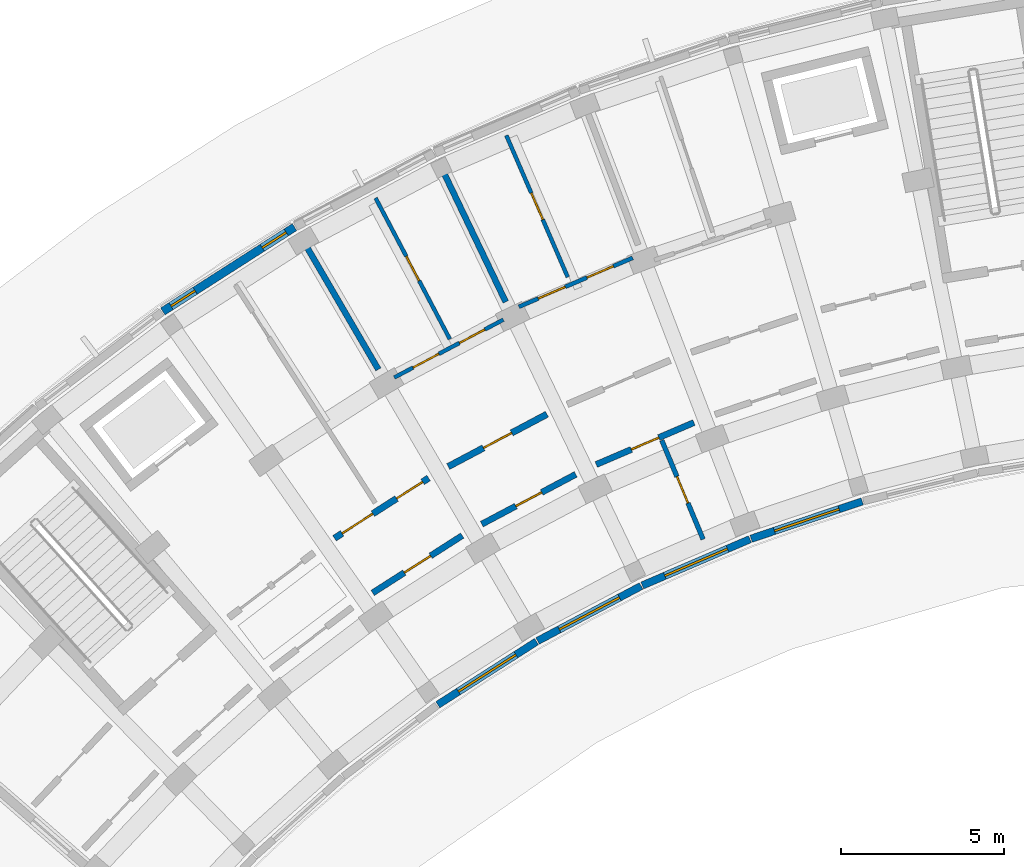
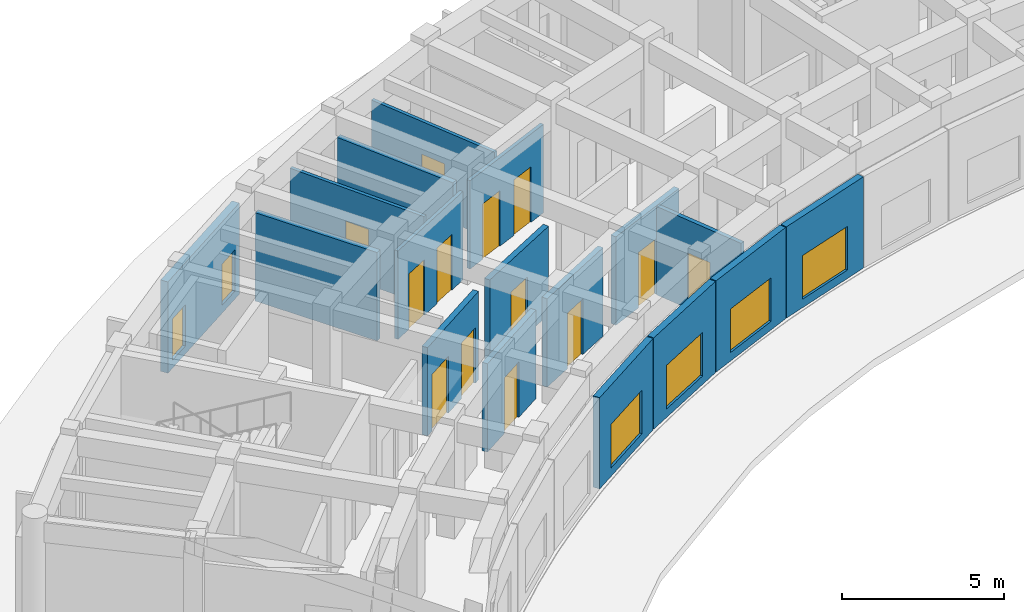
# One storey, part 32 of 61: 17 walls, 13 doors, 6 windows, 19 openings.
"""IFC4 building model written with IfcOpenShell, lengths in metres."""

import ifcopenshell
import ifcopenshell.guid

model = None  # the IFC model being written
_history = None  # IfcOwnerHistory: only IFC2X3 demands one
_inside = {}  # id of a spatial element -> (the spatial element, [elements in it])
_under = {}  # id of a project, library or spatial element -> (it, [spatial elements below it])
_declared = {}  # id of a project -> (the project, [libraries it declares])
_typed = {}  # id of a type object -> (the type object, [elements of that type])
_made_of = {}  # id of a material, layer set ... -> (it, [elements and type objects made of it])


def new_model(schema):
    """Start an empty IFC model of exactly this schema.

    Asked for "IFC4X3", IfcOpenShell would pick the latest addendum, in which some entities
    have other attributes; the version numbers below select the first issue.
    IFC2X3 requires an IfcOwnerHistory on every rooted entity: one is made here for all.
    """
    global model, _history
    if schema == "IFC4X3":
        model = ifcopenshell.file(schema_version=(4, 3, 0, 0))
    else:
        model = ifcopenshell.file(schema=schema)
    _inside.clear()
    _under.clear()
    _declared.clear()
    _typed.clear()
    _made_of.clear()
    _history = None
    if model.schema == "IFC2X3":
        org = make("IfcOrganization", Name="unknown")
        user = make(
            "IfcPersonAndOrganization",
            ThePerson=make("IfcPerson", FamilyName="unknown"),
            TheOrganization=org,
        )
        app = make(
            "IfcApplication",
            ApplicationDeveloper=org,
            Version="unknown",
            ApplicationFullName="unknown",
            ApplicationIdentifier="unknown",
        )
        _history = make(
            "IfcOwnerHistory",
            OwningUser=user,
            OwningApplication=app,
            ChangeAction="ADDED",
            CreationDate=0,
        )
    return model


def make(cls, **values):
    """One entity of the class cls with the attributes given. An attribute that is None is left unset."""
    return model.create_entity(
        cls, **{name: value for name, value in values.items() if value is not None}
    )


def rooted(cls, **values):
    """An entity with a GlobalId (a new one), such as an element, a storey or a relation."""
    return make(cls, GlobalId=ifcopenshell.guid.new(), OwnerHistory=_history, **values)


def si_unit(unit_type, name, prefix=None):
    """IfcSIUnit, for example si_unit("LENGTHUNIT", "METRE", prefix="MILLI")."""
    return make("IfcSIUnit", UnitType=unit_type, Prefix=prefix, Name=name)


def assignment(units):
    """IfcUnitAssignment: the units of a project."""
    return None if units is None else make("IfcUnitAssignment", Units=units)


def point(xyz):
    """IfcCartesianPoint."""
    return None if xyz is None else make("IfcCartesianPoint", Coordinates=xyz)


def direction(xyz):
    """IfcDirection."""
    return None if xyz is None else make("IfcDirection", DirectionRatios=xyz)


def frame(location, z_axis=None, x_axis=None):
    """IfcAxis2Placement3D, a coordinate frame: its origin and axes. An axis left out is left unset."""
    return make(
        "IfcAxis2Placement3D",
        Location=point(location),
        Axis=direction(z_axis),
        RefDirection=direction(x_axis),
    )


def frame_2d(location, x_axis=None):
    """IfcAxis2Placement2D, a coordinate frame in the plane: its origin and x axis."""
    return make(
        "IfcAxis2Placement2D", Location=point(location), RefDirection=direction(x_axis)
    )


def origin():
    """The frame at (0, 0, 0) with its axes left unset."""
    return frame((0.0, 0.0, 0.0))


def place(relative_to, where):
    """IfcLocalPlacement: puts the frame where relative to a parent placement (None: the world)."""
    return make(
        "IfcLocalPlacement", PlacementRelTo=relative_to, RelativePlacement=where
    )


def context(
    kind, dimensions, precision=None, world=None, true_north=None, identifier=None
):
    """IfcGeometricRepresentationContext, for example the 3D "Model" context."""
    return make(
        "IfcGeometricRepresentationContext",
        ContextIdentifier=identifier,
        ContextType=kind,
        CoordinateSpaceDimension=dimensions,
        Precision=precision,
        WorldCoordinateSystem=world,
        TrueNorth=true_north,
    )


def subcontext(parent, identifier, kind, view, scale=None):
    """IfcGeometricRepresentationSubContext, for example "Body" below "Model"."""
    return make(
        "IfcGeometricRepresentationSubContext",
        ContextIdentifier=identifier,
        ContextType=kind,
        ParentContext=parent,
        TargetScale=scale,
        TargetView=view,
    )


def project(units=None, contexts=None):
    """IfcProject with its units and contexts."""
    return rooted(
        "IfcProject",
        Name="project",
        RepresentationContexts=contexts,
        UnitsInContext=assignment(units),
    )


def spatial(cls, under=None, at=None, **own):
    """A site, building, storey or space (cls), placed at a placement, below another one or the project."""
    s = rooted(cls, ObjectPlacement=at, **own)
    if under is not None:
        _under.setdefault(under.id(), (under, []))[1].append(s)
    return s


def profile(cls, at=None, kind="AREA", **sizes):
    """A parametric profile (cls). Its sizes go by their IFC names, for example OverallWidth=200.0."""
    return make(cls, ProfileType=kind, Position=at, **sizes)


def rectangle(**sizes):
    """IfcRectangleProfileDef."""
    return profile("IfcRectangleProfileDef", **sizes)


def extrude(swept, where, along, depth):
    """IfcExtrudedAreaSolid: the profile swept, set in the frame where, extruded along a direction by depth."""
    return make(
        "IfcExtrudedAreaSolid",
        SweptArea=swept,
        Position=where,
        ExtrudedDirection=direction(along),
        Depth=depth,
    )


def shape(context_of_items, identifier, shape_type, items):
    """IfcShapeRepresentation: the items that make up one representation, for example the "Body"."""
    return make(
        "IfcShapeRepresentation",
        ContextOfItems=context_of_items,
        RepresentationIdentifier=identifier,
        RepresentationType=shape_type,
        Items=items,
    )


def material(Name=None, Category=None):
    """IfcMaterial."""
    return make("IfcMaterial", Name=Name, Category=Category)


def layer(
    of_material, thickness, ventilated=None, Name=None, Category=None, Priority=None
):
    """IfcMaterialLayer: one layer of a wall or slab, of a material (None: an air gap)."""
    return make(
        "IfcMaterialLayer",
        Material=of_material,
        LayerThickness=thickness,
        IsVentilated=ventilated,
        Name=Name,
        Category=Category,
        Priority=Priority,
    )


def layer_set(layers, Name=None):
    """IfcMaterialLayerSet."""
    return make("IfcMaterialLayerSet", MaterialLayers=layers, LayerSetName=Name)


def made_of(thing, what):
    """Note that an element or type object is made of a material, layer set ...; save() writes the relation."""
    if what is not None:
        _made_of.setdefault(what.id(), (what, []))[1].append(thing)
    return thing


def type_object(cls, material=None, **own):
    """A type object (cls), such as IfcWallType, which elements share."""
    return made_of(rooted(cls, **own), material)


def element(
    cls,
    number,
    at=None,
    inside=None,
    cuts=None,
    type_object=None,
    material=None,
    context=None,
    identifier="Body",
    shape_type=None,
    held_by="IfcProductDefinitionShape",
    body=None,
    shapes=None,
    **own,
):
    """One element of the class cls, such as IfcWall. Its Tag is "e" and its number.

    at: its placement. inside: the storey or other place that contains it. cuts: it is an
    opening in that element (IfcRelVoidsElement). A single representation is given by context,
    identifier, shape_type and body (its items); several are given by shapes. held_by: the class
    of the entity that holds the representations. save() writes the other relations.
    """
    e = rooted(cls, Tag="e%d" % number, ObjectPlacement=at, **own)
    if body is not None:
        shapes = [shape(context, identifier, shape_type, body)]
    if shapes is not None:
        e.Representation = make(held_by, Representations=shapes)
    if inside is not None:
        _inside.setdefault(inside.id(), (inside, []))[1].append(e)
    if cuts is not None:
        rooted(
            "IfcRelVoidsElement", RelatingBuildingElement=cuts, RelatedOpeningElement=e
        )
    if type_object is not None:
        _typed.setdefault(type_object.id(), (type_object, []))[1].append(e)
    return made_of(e, material)


def fill(opening, filler):
    """IfcRelFillsElement: the door or window that sits in an opening."""
    return rooted(
        "IfcRelFillsElement",
        RelatingOpeningElement=opening,
        RelatedBuildingElement=filler,
    )


def aggregate(whole, parts):
    """IfcRelAggregates: a whole, such as a stair, and the parts it consists of."""
    return rooted("IfcRelAggregates", RelatingObject=whole, RelatedObjects=parts)


def save(model, path):
    """Write the relations noted so far, then the file.

    IfcRelAggregates (storeys below a building ...), IfcRelContainedInSpatialStructure (elements
    in a storey), IfcRelDefinesByType, IfcRelAssociatesMaterial and IfcRelDeclares: one each for
    every whole, place, type object, material and project.
    """
    for whole, parts in _under.values():
        aggregate(whole, parts)
    for where, things in _inside.values():
        rooted(
            "IfcRelContainedInSpatialStructure",
            RelatedElements=things,
            RelatingStructure=where,
        )
    for kind, things in _typed.values():
        rooted("IfcRelDefinesByType", RelatedObjects=things, RelatingType=kind)
    for what, things in _made_of.values():
        rooted("IfcRelAssociatesMaterial", RelatedObjects=things, RelatingMaterial=what)
    for by, libraries in _declared.values():
        rooted("IfcRelDeclares", RelatingContext=by, RelatedDefinitions=libraries)
    model.write(path)


model = new_model("IFC4")

# Units and contexts
model_context = context("Model", 3, precision=1e-05, world=origin(), true_north=direction((0.0, 1.0)))
body_context = subcontext(model_context, "Body", "Model", "MODEL_VIEW")
ifc_project = project(units=[si_unit("LENGTHUNIT", "METRE"), si_unit("AREAUNIT", "SQUARE_METRE"), si_unit("VOLUMEUNIT", "CUBIC_METRE"), si_unit("PLANEANGLEUNIT", "RADIAN"), si_unit("MASSUNIT", "GRAM", prefix="KILO")], contexts=[model_context])

# Site, building, storey
site_placement = place(None, origin())
site = spatial("IfcSite", under=ifc_project, at=site_placement, CompositionType="ELEMENT")
building_placement = place(site_placement, origin())
building = spatial("IfcBuilding", under=site, at=building_placement, Name="Zimvara Arc Housing Community", CompositionType="ELEMENT")
storey_placement = place(building_placement, origin())
storey = spatial("IfcBuildingStorey", under=building, at=storey_placement, Name="L00", CompositionType="ELEMENT", Elevation=0.0)

# Wall, opening, window
ifc_material_1 = material(Name="Board-Marked Fair-Faced Concrete C35/45", Category="concrete")
ifc_layer_1 = layer(ifc_material_1, 0.22998046875)
ifc_layer_set_1 = layer_set([ifc_layer_1], Name="Board-Marked Fair-Faced Concrete C35/45")
wall_type_1 = type_object("IfcWallType", Name="EWL-CONC-230", PredefinedType="SOLIDWALL", material=ifc_layer_set_1)
wall_1_placement = place(storey_placement, frame((19.449462890625, 81.0791015625, 0.0), z_axis=(0.0, 0.0, 1.0), x_axis=(0.84225540507, 0.539078688718, 0.0)))
wall_1 = element("IfcWall", 1, at=wall_1_placement, inside=storey, type_object=wall_type_1, Name="ewall:blkA:L00:in:b3", PredefinedType="SOLIDWALL", context=body_context, shape_type="SweptSolid", body=[
    extrude(rectangle(XDim=3.603515625, YDim=0.22998046875, at=frame_2d((1.8017578125, 0.0))), origin(), (0.0, 0.0, 1.0), 3.449951171875),
])
opening_1_placement = place(wall_1_placement, frame((0.751708984375, 0.0, 0.320068359375)))
opening_1 = element("IfcOpeningElement", 2, at=opening_1_placement, cuts=wall_1, Name="Opening W09", PredefinedType="OPENING", context=body_context, shape_type="SweptSolid", body=[
    extrude(rectangle(XDim=2.10009765625, YDim=1.64990234375, at=frame_2d((1.050048828125, 0.824951171875))), frame((0.0, 0.125, 0.0), z_axis=(0.0, -1.0, 0.0), x_axis=(1.0, 0.0, 0.0)), (0.0, 0.0, 1.0), 0.25),
])
ifc_material_2 = material(Name="Solar Control Low-E Double Glazing", Category="glass")
window_type_1 = type_object("IfcWindowType", Name="WIN-RES-2100x1650", PartitioningType="TRIPLE_PANEL_VERTICAL", PredefinedType="WINDOW", material=ifc_material_2)
window_1_placement = place(opening_1_placement, origin())
window_1 = element("IfcWindow", 3, at=window_1_placement, inside=storey, type_object=window_type_1, Name="win:blkA:L00:in:b3", OverallHeight=1.64990234375, OverallWidth=2.10009765625, PartitioningType="TRIPLE_PANEL_VERTICAL", PredefinedType="WINDOW", context=body_context, shape_type="SweptSolid", body=[
    extrude(rectangle(XDim=2.10009765625, YDim=1.64990234375, at=frame_2d((1.050048828125, 0.824951171875))), frame((0.0, 0.030029296875, 0.0), z_axis=(0.0, -1.0, 0.0), x_axis=(1.0, 0.0, 0.0)), (0.0, 0.0, 1.0), 0.06005859375),
])
fill(opening_1, window_1)

wall_2_placement = place(storey_placement, frame((22.51904296875, 83.0419921875, 0.0), z_axis=(0.0, 0.0, 1.0), x_axis=(0.883438308286, 0.468547495407, 0.0)))
wall_2 = element("IfcWall", 4, at=wall_2_placement, inside=storey, type_object=wall_type_1, Name="ewall:blkA:L00:in:b4", PredefinedType="SOLIDWALL", context=body_context, shape_type="SweptSolid", body=[
    extrude(rectangle(XDim=3.603759765625, YDim=0.22998046875, at=frame_2d((1.8017578125, 0.0))), origin(), (0.0, 0.0, 1.0), 3.449951171875),
])
opening_2_placement = place(wall_2_placement, frame((0.751708984375, 0.0, 0.320068359375)))
opening_2 = element("IfcOpeningElement", 5, at=opening_2_placement, cuts=wall_2, Name="Opening W09", PredefinedType="OPENING", context=body_context, shape_type="SweptSolid", body=[
    extrude(rectangle(XDim=2.10009765625, YDim=1.64990234375, at=frame_2d((1.050048828125, 0.824951171875))), frame((0.0, 0.125, 0.0), z_axis=(0.0, -1.0, 0.0), x_axis=(1.0, 0.0, 0.0)), (0.0, 0.0, 1.0), 0.25),
])
window_2_placement = place(opening_2_placement, origin())
window_2 = element("IfcWindow", 6, at=window_2_placement, inside=storey, type_object=window_type_1, Name="win:blkA:L00:in:b4", OverallHeight=1.64990234375, OverallWidth=2.10009765625, PartitioningType="TRIPLE_PANEL_VERTICAL", PredefinedType="WINDOW", context=body_context, shape_type="SweptSolid", body=[
    extrude(rectangle(XDim=2.10009765625, YDim=1.64990234375, at=frame_2d((1.050048828125, 0.824951171875))), frame((0.0, 0.030029296875, 0.0), z_axis=(0.0, -1.0, 0.0), x_axis=(1.0, 0.0, 0.0)), (0.0, 0.0, 1.0), 0.06005859375),
])
fill(opening_2, window_2)

wall_3_placement = place(storey_placement, frame((25.73876953125, 84.74755859375, 0.0), z_axis=(0.0, 0.0, 1.0), x_axis=(0.918713438577, 0.394924825477, 0.0)))
wall_3 = element("IfcWall", 7, at=wall_3_placement, inside=storey, type_object=wall_type_1, Name="ewall:blkA:L00:in:b5", PredefinedType="SOLIDWALL", context=body_context, shape_type="SweptSolid", body=[
    extrude(rectangle(XDim=3.603515625, YDim=0.22998046875, at=frame_2d((1.8017578125, 0.0))), origin(), (0.0, 0.0, 1.0), 3.449951171875),
])
opening_3_placement = place(wall_3_placement, frame((0.751708984375, 0.0, 0.320068359375)))
opening_3 = element("IfcOpeningElement", 8, at=opening_3_placement, cuts=wall_3, Name="Opening W09", PredefinedType="OPENING", context=body_context, shape_type="SweptSolid", body=[
    extrude(rectangle(XDim=2.10009765625, YDim=1.64990234375, at=frame_2d((1.050048828125, 0.824951171875))), frame((0.0, 0.125, 0.0), z_axis=(0.0, -1.0, 0.0), x_axis=(1.0, 0.0, 0.0)), (0.0, 0.0, 1.0), 0.25),
])
window_3_placement = place(opening_3_placement, origin())
window_3 = element("IfcWindow", 9, at=window_3_placement, inside=storey, type_object=window_type_1, Name="win:blkA:L00:in:b5", OverallHeight=1.64990234375, OverallWidth=2.10009765625, PartitioningType="TRIPLE_PANEL_VERTICAL", PredefinedType="WINDOW", context=body_context, shape_type="SweptSolid", body=[
    extrude(rectangle(XDim=2.10009765625, YDim=1.64990234375, at=frame_2d((1.050048828125, 0.824951171875))), frame((0.0, 0.030029296875, 0.0), z_axis=(0.0, -1.0, 0.0), x_axis=(1.0, 0.0, 0.0)), (0.0, 0.0, 1.0), 0.06005859375),
])
fill(opening_3, window_3)

wall_4_placement = place(storey_placement, frame((29.086669921875, 86.18505859375, 0.0), z_axis=(0.0, 0.0, 1.0), x_axis=(0.947880824442, 0.318625081649, 0.0)))
wall_4 = element("IfcWall", 10, at=wall_4_placement, inside=storey, type_object=wall_type_1, Name="ewall:blkA:L00:in:b6", PredefinedType="SOLIDWALL", context=body_context, shape_type="SweptSolid", body=[
    extrude(rectangle(XDim=3.603515625, YDim=0.22998046875, at=frame_2d((1.8017578125, 0.0))), origin(), (0.0, 0.0, 1.0), 3.449951171875),
])
opening_4_placement = place(wall_4_placement, frame((0.751708984375, 0.0, 0.320068359375)))
opening_4 = element("IfcOpeningElement", 11, at=opening_4_placement, cuts=wall_4, Name="Opening W09", PredefinedType="OPENING", context=body_context, shape_type="SweptSolid", body=[
    extrude(rectangle(XDim=2.10009765625, YDim=1.64990234375, at=frame_2d((1.050048828125, 0.824951171875))), frame((0.0, 0.125, 0.0), z_axis=(0.0, -1.0, 0.0), x_axis=(1.0, 0.0, 0.0)), (0.0, 0.0, 1.0), 0.25),
])
window_4_placement = place(opening_4_placement, origin())
window_4 = element("IfcWindow", 12, at=window_4_placement, inside=storey, type_object=window_type_1, Name="win:blkA:L00:in:b6", OverallHeight=1.64990234375, OverallWidth=2.10009765625, PartitioningType="TRIPLE_PANEL_VERTICAL", PredefinedType="WINDOW", context=body_context, shape_type="SweptSolid", body=[
    extrude(rectangle(XDim=2.10009765625, YDim=1.64990234375, at=frame_2d((1.050048828125, 0.824951171875))), frame((0.0, 0.030029296875, 0.0), z_axis=(0.0, -1.0, 0.0), x_axis=(1.0, 0.0, 0.0)), (0.0, 0.0, 1.0), 0.06005859375),
])
fill(opening_4, window_4)

# Wall, openings, windows
ifc_material_3 = material(Name="Board-Marked Fair-Faced Concrete C35/45", Category="concrete")
ifc_layer_2 = layer(ifc_material_3, 0.2548828125)
ifc_layer_set_2 = layer_set([ifc_layer_2], Name="Board-Marked Fair-Faced Concrete C35/45")
wall_type_2 = type_object("IfcWallType", Name="EWL-CONC-255", PredefinedType="SOLIDWALL", material=ifc_layer_set_2)
wall_5_placement = place(storey_placement, frame((10.991943359375, 93.17578125, 0.0), z_axis=(0.0, 0.0, 1.0), x_axis=(0.84226218024, 0.539068103061, 0.0)))
wall_5 = element("IfcWall", 13, at=wall_5_placement, inside=storey, type_object=wall_type_2, Name="ewall:blkA:L00:out:b3", PredefinedType="SOLIDWALL", context=body_context, shape_type="SweptSolid", body=[
    extrude(rectangle(XDim=4.808837890625, YDim=0.2548828125, at=frame_2d((2.404296875, 0.0))), origin(), (0.0, 0.0, 1.0), 3.449951171875),
])
opening_5_placement = place(wall_5_placement, frame((0.300048828125, 0.0, 0.300048828125)))
opening_5 = element("IfcOpeningElement", 14, at=opening_5_placement, cuts=wall_5, Name="Opening W24", PredefinedType="OPENING", context=body_context, shape_type="SweptSolid", body=[
    extrude(rectangle(XDim=0.8798828125, YDim=1.56005859375, at=frame_2d((0.43994140625, 0.780029296875))), frame((0.0, 0.137451171875, 0.0), z_axis=(0.0, -1.0, 0.0), x_axis=(1.0, 0.0, 0.0)), (0.0, 0.0, 1.0), 0.27490234375),
])
opening_6_placement = place(wall_5_placement, frame((3.62890625, 0.0, 0.300048828125)))
opening_6 = element("IfcOpeningElement", 15, at=opening_6_placement, cuts=wall_5, Name="Opening W24", PredefinedType="OPENING", context=body_context, shape_type="SweptSolid", body=[
    extrude(rectangle(XDim=0.8798828125, YDim=1.56005859375, at=frame_2d((0.43994140625, 0.780029296875))), frame((0.0, 0.137451171875, 0.0), z_axis=(0.0, -1.0, 0.0), x_axis=(1.0, 0.0, 0.0)), (0.0, 0.0, 1.0), 0.27490234375),
])
ifc_material_4 = material(Name="Solar Control Low-E Double Glazing", Category="glass")
window_type_2 = type_object("IfcWindowType", Name="WIN-MOD-880x1560", PartitioningType="DOUBLE_PANEL_VERTICAL", PredefinedType="WINDOW", material=ifc_material_4)
window_5_placement = place(opening_5_placement, origin())
window_5 = element("IfcWindow", 16, at=window_5_placement, inside=storey, type_object=window_type_2, Name="win:blkA:L00:out:b3:1", OverallHeight=1.56005859375, OverallWidth=0.8798828125, PartitioningType="DOUBLE_PANEL_VERTICAL", PredefinedType="WINDOW", context=body_context, shape_type="SweptSolid", body=[
    extrude(rectangle(XDim=0.8798828125, YDim=1.56005859375, at=frame_2d((0.43994140625, 0.780029296875))), frame((0.0, 0.030029296875, 0.0), z_axis=(0.0, -1.0, 0.0), x_axis=(1.0, 0.0, 0.0)), (0.0, 0.0, 1.0), 0.06005859375),
])
fill(opening_5, window_5)
window_6_placement = place(opening_6_placement, origin())
window_6 = element("IfcWindow", 17, at=window_6_placement, inside=storey, type_object=window_type_2, Name="win:blkA:L00:out:b3:2", OverallHeight=1.56005859375, OverallWidth=0.8798828125, PartitioningType="DOUBLE_PANEL_VERTICAL", PredefinedType="WINDOW", context=body_context, shape_type="SweptSolid", body=[
    extrude(rectangle(XDim=0.8798828125, YDim=1.56005859375, at=frame_2d((0.43994140625, 0.780029296875))), frame((0.0, 0.030029296875, 0.0), z_axis=(0.0, -1.0, 0.0), x_axis=(1.0, 0.0, 0.0)), (0.0, 0.0, 1.0), 0.06005859375),
])
fill(opening_6, window_6)

# Wall, opening, door
ifc_material_5 = material(Name="Concrete C35/45", Category="concrete")
ifc_layer_3 = layer(ifc_material_5, 0.18994140625)
ifc_layer_set_3 = layer_set([ifc_layer_3], Name="Concrete C35/45")
wall_type_3 = type_object("IfcWallType", Name="IWL-CORR-190", PredefinedType="SOLIDWALL", material=ifc_layer_set_3)
wall_6_placement = place(storey_placement, frame((17.44677734375, 84.518798828125, 0.0), z_axis=(0.0, 0.0, 1.0), x_axis=(0.842225276846, 0.539125758095, 0.0)))
wall_6 = element("IfcWall", 18, at=wall_6_placement, inside=storey, type_object=wall_type_3, Name="iwall:blkA:L00:corr_in:b3", PredefinedType="SOLIDWALL", context=body_context, shape_type="SweptSolid", body=[
    extrude(rectangle(XDim=3.2685546875, YDim=0.18994140625, at=frame_2d((1.63427734375, 0.0))), origin(), (0.0, 0.0, 1.0), 3.340087890625),
])
opening_7_placement = place(wall_6_placement, frame((1.154296875, 0.0, 0.0)))
opening_7 = element("IfcOpeningElement", 19, at=opening_7_placement, cuts=wall_6, Name="Opening D04", PredefinedType="OPENING", context=body_context, shape_type="SweptSolid", body=[
    extrude(rectangle(XDim=0.9599609375, YDim=2.10009765625, at=frame_2d((0.47998046875, 1.050048828125))), frame((0.0, 0.10498046875, 0.0), z_axis=(0.0, -1.0, 0.0), x_axis=(1.0, 0.0, 0.0)), (0.0, 0.0, 1.0), 0.2099609375),
])
ifc_material_6 = material(Name="Mozambican Hardwood", Category="wood")
door_type_1 = type_object("IfcDoorType", Name="IDR-RM-0960x2100", OperationType="NOTDEFINED", PredefinedType="DOOR", material=ifc_material_6)
door_1_placement = place(opening_7_placement, origin())
door_1 = element("IfcDoor", 20, at=door_1_placement, inside=storey, type_object=door_type_1, Name="idoor:blkA:L00:in_rm:b3", OperationType="SINGLE_SWING_LEFT", OverallHeight=2.10009765625, OverallWidth=0.9599609375, PredefinedType="DOOR", context=body_context, shape_type="SweptSolid", body=[
    extrude(rectangle(XDim=0.9599609375, YDim=2.10009765625, at=frame_2d((0.47998046875, 1.050048828125))), frame((0.0, 0.02490234375, 0.0), z_axis=(0.0, -1.0, 0.0), x_axis=(1.0, 0.0, 0.0)), (0.0, 0.0, 1.0), 0.050048828125),
])
fill(opening_7, door_1)

wall_7_placement = place(storey_placement, frame((20.8037109375, 86.633544921875, 0.0), z_axis=(0.0, 0.0, 1.0), x_axis=(0.883444301944, 0.468536194293, 0.0)))
wall_7 = element("IfcWall", 21, at=wall_7_placement, inside=storey, type_object=wall_type_3, Name="iwall:blkA:L00:corr_in:b4", PredefinedType="SOLIDWALL", context=body_context, shape_type="SweptSolid", body=[
    extrude(rectangle(XDim=3.268798828125, YDim=0.18994140625, at=frame_2d((1.63427734375, 0.0))), origin(), (0.0, 0.0, 1.0), 3.340087890625),
])
opening_8_placement = place(wall_7_placement, frame((1.184326171875, 0.0, 0.0)))
opening_8 = element("IfcOpeningElement", 22, at=opening_8_placement, cuts=wall_7, Name="Opening D01", PredefinedType="OPENING", context=body_context, shape_type="SweptSolid", body=[
    extrude(rectangle(XDim=0.89990234375, YDim=2.10009765625, at=frame_2d((0.449951171875, 1.050048828125))), frame((0.0, 0.10498046875, 0.0), z_axis=(0.0, -1.0, 0.0), x_axis=(1.0, 0.0, 0.0)), (0.0, 0.0, 1.0), 0.2099609375),
])
ifc_material_7 = material(Name="Mozambican Hardwood", Category="wood")
door_type_2 = type_object("IfcDoorType", Name="IDR-RM-0900x2100", OperationType="NOTDEFINED", PredefinedType="DOOR", material=ifc_material_7)
door_2_placement = place(opening_8_placement, origin())
door_2 = element("IfcDoor", 23, at=door_2_placement, inside=storey, type_object=door_type_2, Name="idoor:blkA:L00:in_rm:b4", OperationType="SINGLE_SWING_RIGHT", OverallHeight=2.10009765625, OverallWidth=0.89990234375, PredefinedType="DOOR", context=body_context, shape_type="SweptSolid", body=[
    extrude(rectangle(XDim=0.89990234375, YDim=2.10009765625, at=frame_2d((0.449951171875, 1.050048828125))), frame((0.0, 0.02490234375, 0.0), z_axis=(0.0, -1.0, 0.0), x_axis=(1.0, 0.0, 0.0)), (0.0, 0.0, 1.0), 0.050048828125),
])
fill(opening_8, door_2)

wall_8_placement = place(storey_placement, frame((24.322265625, 88.46728515625, 0.0), z_axis=(0.0, 0.0, 1.0), x_axis=(0.918723391052, 0.394901672235, 0.0)))
wall_8 = element("IfcWall", 24, at=wall_8_placement, inside=storey, type_object=wall_type_3, Name="iwall:blkA:L00:corr_in:b5", PredefinedType="SOLIDWALL", context=body_context, shape_type="SweptSolid", body=[
    extrude(rectangle(XDim=3.2685546875, YDim=0.18994140625, at=frame_2d((1.63427734375, 0.0))), origin(), (0.0, 0.0, 1.0), 3.340087890625),
])
opening_9_placement = place(wall_8_placement, frame((1.17431640625, 0.0, 0.0)))
opening_9 = element("IfcOpeningElement", 25, at=opening_9_placement, cuts=wall_8, Name="Opening D02", PredefinedType="OPENING", context=body_context, shape_type="SweptSolid", body=[
    extrude(rectangle(XDim=0.919921875, YDim=2.10009765625, at=frame_2d((0.4599609375, 1.050048828125))), frame((0.0, 0.10498046875, 0.0), z_axis=(0.0, -1.0, 0.0), x_axis=(1.0, 0.0, 0.0)), (0.0, 0.0, 1.0), 0.2099609375),
])
ifc_material_8 = material(Name="Mozambican Hardwood", Category="wood")
door_type_3 = type_object("IfcDoorType", Name="IDR-RM-0920x2100", OperationType="NOTDEFINED", PredefinedType="DOOR", material=ifc_material_8)
door_3_placement = place(opening_9_placement, origin())
door_3 = element("IfcDoor", 26, at=door_3_placement, inside=storey, type_object=door_type_3, Name="idoor:blkA:L00:in_rm:b5", OperationType="SINGLE_SWING_LEFT", OverallHeight=2.10009765625, OverallWidth=0.919921875, PredefinedType="DOOR", context=body_context, shape_type="SweptSolid", body=[
    extrude(rectangle(XDim=0.919921875, YDim=2.10009765625, at=frame_2d((0.4599609375, 1.050048828125))), frame((0.0, 0.02490234375, 0.0), z_axis=(0.0, -1.0, 0.0), x_axis=(1.0, 0.0, 0.0)), (0.0, 0.0, 1.0), 0.050048828125),
])
fill(opening_9, door_3)

# Wall, openings, doors
ifc_material_9 = material(Name="Concrete C35/45", Category="concrete")
ifc_layer_4 = layer(ifc_material_9, 0.199951171875)
ifc_layer_set_4 = layer_set([ifc_layer_4], Name="Concrete C35/45")
wall_type_4 = type_object("IfcWallType", Name="IWL-CORR-200", PredefinedType="SOLIDWALL", material=ifc_layer_set_4)
wall_9_placement = place(storey_placement, frame((16.272216796875, 86.198974609375, 0.0), z_axis=(0.0, 0.0, 1.0), x_axis=(0.842257205985, 0.539075874963, 0.0)))
wall_9 = element("IfcWall", 27, at=wall_9_placement, inside=storey, type_object=wall_type_4, Name="iwall:blkA:L00:corr_out:b3", PredefinedType="SOLIDWALL", context=body_context, shape_type="SweptSolid", body=[
    extrude(rectangle(XDim=3.43603515625, YDim=0.199951171875, at=frame_2d((1.718017578125, 0.0))), origin(), (0.0, 0.0, 1.0), 3.340087890625),
])
opening_10_placement = place(wall_9_placement, frame((0.280029296875, 0.0, 0.0)))
opening_10 = element("IfcOpeningElement", 28, at=opening_10_placement, cuts=wall_9, Name="Opening D07", PredefinedType="OPENING", context=body_context, shape_type="SweptSolid", body=[
    extrude(rectangle(XDim=1.1201171875, YDim=2.14990234375, at=frame_2d((0.56005859375, 1.074951171875))), frame((0.0, 0.10986328125, 0.0), z_axis=(0.0, -1.0, 0.0), x_axis=(1.0, 0.0, 0.0)), (0.0, 0.0, 1.0), 0.219970703125),
])
opening_11_placement = place(wall_9_placement, frame((2.26611328125, 0.0, 0.0)))
opening_11 = element("IfcOpeningElement", 29, at=opening_11_placement, cuts=wall_9, Name="Opening D06", PredefinedType="OPENING", context=body_context, shape_type="SweptSolid", body=[
    extrude(rectangle(XDim=0.949951171875, YDim=2.10009765625, at=frame_2d((0.47509765625, 1.050048828125))), frame((0.0, 0.10986328125, 0.0), z_axis=(0.0, -1.0, 0.0), x_axis=(1.0, 0.0, 0.0)), (0.0, 0.0, 1.0), 0.219970703125),
])
ifc_material_10 = material(Name="Mozambican Hardwood", Category="wood")
door_type_4 = type_object("IfcDoorType", Name="IDR-AMN-1120x2150", OperationType="NOTDEFINED", PredefinedType="DOOR", material=ifc_material_10)
door_4_placement = place(opening_10_placement, origin())
door_4 = element("IfcDoor", 30, at=door_4_placement, inside=storey, type_object=door_type_4, Name="idoor:blkA:L00:amen:b3", OperationType="SINGLE_SWING_LEFT", OverallHeight=2.14990234375, OverallWidth=1.1201171875, PredefinedType="DOOR", context=body_context, shape_type="SweptSolid", body=[
    extrude(rectangle(XDim=1.1201171875, YDim=2.14990234375, at=frame_2d((0.56005859375, 1.074951171875))), frame((0.0, 0.02490234375, 0.0), z_axis=(0.0, -1.0, 0.0), x_axis=(1.0, 0.0, 0.0)), (0.0, 0.0, 1.0), 0.050048828125),
])
fill(opening_10, door_4)
ifc_material_11 = material(Name="Mozambican Hardwood", Category="wood")
door_type_5 = type_object("IfcDoorType", Name="IDR-AWC-0950x2100", OperationType="NOTDEFINED", PredefinedType="DOOR", material=ifc_material_11)
door_5_placement = place(opening_11_placement, origin())
door_5 = element("IfcDoor", 31, at=door_5_placement, inside=storey, type_object=door_type_5, Name="idoor:blkA:L00:cawc:b3", OperationType="SINGLE_SWING_RIGHT", OverallHeight=2.10009765625, OverallWidth=0.949951171875, PredefinedType="DOOR", context=body_context, shape_type="SweptSolid", body=[
    extrude(rectangle(XDim=0.949951171875, YDim=2.10009765625, at=frame_2d((0.47509765625, 1.050048828125))), frame((0.0, 0.02490234375, 0.0), z_axis=(0.0, -1.0, 0.0), x_axis=(1.0, 0.0, 0.0)), (0.0, 0.0, 1.0), 0.050048828125),
])
fill(opening_11, door_5)

# Wall, opening, door
wall_10_placement = place(storey_placement, frame((19.770263671875, 88.40380859375, 0.0), z_axis=(0.0, 0.0, 1.0), x_axis=(0.883410853063, 0.468599258099, 0.0)))
wall_10 = element("IfcWall", 32, at=wall_10_placement, inside=storey, type_object=wall_type_4, Name="iwall:blkA:L00:corr_out:b4", PredefinedType="SOLIDWALL", context=body_context, shape_type="SweptSolid", body=[
    extrude(rectangle(XDim=3.43603515625, YDim=0.199951171875, at=frame_2d((1.718017578125, 0.0))), origin(), (0.0, 0.0, 1.0), 3.340087890625),
])
opening_12_placement = place(wall_10_placement, frame((1.22802734375, 0.0, 0.0)))
opening_12 = element("IfcOpeningElement", 33, at=opening_12_placement, cuts=wall_10, Name="Opening FD-FL1", PredefinedType="OPENING", context=body_context, shape_type="SweptSolid", body=[
    extrude(rectangle(XDim=0.97998046875, YDim=2.14990234375, at=frame_2d((0.489990234375, 1.074951171875))), frame((0.0, 0.10986328125, 0.0), z_axis=(0.0, -1.0, 0.0), x_axis=(1.0, 0.0, 0.0)), (0.0, 0.0, 1.0), 0.219970703125),
])
ifc_material_12 = material(Name="Mozambican Hardwood", Category="wood")
door_type_6 = type_object("IfcDoorType", Name="IDR-FLAT-0980x2150", OperationType="NOTDEFINED", PredefinedType="DOOR", material=ifc_material_12)
door_6_placement = place(opening_12_placement, origin())
door_6 = element("IfcDoor", 34, at=door_6_placement, inside=storey, type_object=door_type_6, Name="idoor:blkA:L00:flat:b4", OperationType="SINGLE_SWING_LEFT", OverallHeight=2.14990234375, OverallWidth=0.97998046875, PredefinedType="DOOR", context=body_context, shape_type="SweptSolid", body=[
    extrude(rectangle(XDim=0.97998046875, YDim=2.14990234375, at=frame_2d((0.489990234375, 1.074951171875))), frame((0.0, 0.02490234375, 0.0), z_axis=(0.0, -1.0, 0.0), x_axis=(1.0, 0.0, 0.0)), (0.0, 0.0, 1.0), 0.050048828125),
])
fill(opening_12, door_6)

# Walls
ifc_material_13 = material(Name="Concrete C35/45", Category="concrete")
ifc_layer_5 = layer(ifc_material_13, 0.18505859375)
ifc_layer_set_5 = layer_set([ifc_layer_5], Name="Concrete C35/45")
wall_type_5 = type_object("IfcWallType", Name="IWL-FLAT-185", PredefinedType="SOLIDWALL", material=ifc_layer_set_5)
for number, where, z_axis, x_axis, name in (
    (35, (17.62060546875, 91.391845703125, 0.0), (0.0, 0.0, 1.0), (-0.504216452091, 0.863577309475, 0.0), "iwall:blkA:L00:party:b4"),
    (36, (21.537841796875, 93.469482421875, 0.0), (0.0, 0.0, 1.0), (-0.432086898897, 0.901831975371, 0.0), "iwall:blkA:L00:party:b5"),
):
    element("IfcWall", number, at=place(storey_placement, frame(where, z_axis=z_axis, x_axis=x_axis)), inside=storey, type_object=wall_type_5, Name=name, PredefinedType="SOLIDWALL", context=body_context, shape_type="SweptSolid", body=[
        extrude(rectangle(XDim=4.35009765625, YDim=0.18505859375, at=frame_2d((2.175048828125, 0.0))), origin(), (0.0, 0.0, 1.0), 3.340087890625),
    ])

# Wall, openings, doors
ifc_material_14 = material(Name="Painted Acoustic Plasterboard")
ifc_layer_6 = layer(ifc_material_14, 0.1201171875)
ifc_layer_set_6 = layer_set([ifc_layer_6], Name="Painted Acoustic Plasterboard")
wall_type_6 = type_object("IfcWallType", Name="IWL-PART-120", PredefinedType="PARTITIONING", material=ifc_layer_set_6)
wall_11_placement = place(storey_placement, frame((18.112548828125, 91.143798828125, 0.0), z_axis=(0.0, 0.0, 1.0), x_axis=(0.88341855112, 0.46858474531, 0.0)))
wall_11 = element("IfcWall", 37, at=wall_11_placement, inside=storey, type_object=wall_type_6, Name="iwall:blkA:L00:srv:b4", PredefinedType="PARTITIONING", context=body_context, shape_type="SweptSolid", body=[
    extrude(rectangle(XDim=3.797119140625, YDim=0.1201171875, at=frame_2d((1.8984375, 0.0))), origin(), (0.0, 0.0, 1.0), 3.340087890625),
])
opening_13_placement = place(wall_11_placement, frame((0.64990234375, 0.0, 0.0)))
opening_13 = element("IfcOpeningElement", 38, at=opening_13_placement, cuts=wall_11, Name="Opening D01", PredefinedType="OPENING", context=body_context, shape_type="SweptSolid", body=[
    extrude(rectangle(XDim=0.89990234375, YDim=2.10009765625, at=frame_2d((0.449951171875, 1.050048828125))), frame((0.0, 0.070068359375, 0.0), z_axis=(0.0, -1.0, 0.0), x_axis=(1.0, 0.0, 0.0)), (0.0, 0.0, 1.0), 0.14013671875),
])
opening_14_placement = place(wall_11_placement, frame((2.267333984375, 0.0, 0.0)))
opening_14 = element("IfcOpeningElement", 39, at=opening_14_placement, cuts=wall_11, Name="Opening D05", PredefinedType="OPENING", context=body_context, shape_type="SweptSolid", body=[
    extrude(rectangle(XDim=0.8798828125, YDim=2.10009765625, at=frame_2d((0.43994140625, 1.050048828125))), frame((0.0, 0.070068359375, 0.0), z_axis=(0.0, -1.0, 0.0), x_axis=(1.0, 0.0, 0.0)), (0.0, 0.0, 1.0), 0.14013671875),
])
door_7_placement = place(opening_13_placement, origin())
door_7 = element("IfcDoor", 40, at=door_7_placement, inside=storey, type_object=door_type_2, Name="idoor:blkA:L00:kit_liv:b4", OperationType="SINGLE_SWING_LEFT", OverallHeight=2.10009765625, OverallWidth=0.89990234375, PredefinedType="DOOR", context=body_context, shape_type="SweptSolid", body=[
    extrude(rectangle(XDim=0.89990234375, YDim=2.10009765625, at=frame_2d((0.449951171875, 1.050048828125))), frame((0.0, 0.02490234375, 0.0), z_axis=(0.0, -1.0, 0.0), x_axis=(1.0, 0.0, 0.0)), (0.0, 0.0, 1.0), 0.050048828125),
])
fill(opening_13, door_7)
ifc_material_15 = material(Name="Mozambican Hardwood", Category="wood")
door_type_7 = type_object("IfcDoorType", Name="IDR-WC-0880x2100", OperationType="NOTDEFINED", PredefinedType="DOOR", material=ifc_material_15)
door_8_placement = place(opening_14_placement, origin())
door_8 = element("IfcDoor", 41, at=door_8_placement, inside=storey, type_object=door_type_7, Name="idoor:blkA:L00:bath_d:b4", OperationType="SINGLE_SWING_RIGHT", OverallHeight=2.10009765625, OverallWidth=0.8798828125, PredefinedType="DOOR", context=body_context, shape_type="SweptSolid", body=[
    extrude(rectangle(XDim=0.8798828125, YDim=2.10009765625, at=frame_2d((0.43994140625, 1.050048828125))), frame((0.0, 0.02490234375, 0.0), z_axis=(0.0, -1.0, 0.0), x_axis=(1.0, 0.0, 0.0)), (0.0, 0.0, 1.0), 0.050048828125),
])
fill(opening_14, door_8)

# Wall, opening, door
wall_12_placement = place(storey_placement, frame((19.819091796875, 92.325927734375, 0.0), z_axis=(0.0, 0.0, 1.0), x_axis=(-0.465849102717, 0.884864177995, 0.0)))
wall_12 = element("IfcWall", 42, at=wall_12_placement, inside=storey, type_object=wall_type_6, Name="iwall:blkA:L00:bed_div:b4", PredefinedType="PARTITIONING", context=body_context, shape_type="SweptSolid", body=[
    extrude(rectangle(XDim=4.900146484375, YDim=0.1201171875, at=frame_2d((2.4501953125, 0.0))), origin(), (0.0, 0.0, 1.0), 3.340087890625),
])
opening_15_placement = place(wall_12_placement, frame((2.02490234375, 0.0, 0.0)))
opening_15 = element("IfcOpeningElement", 43, at=opening_15_placement, cuts=wall_12, Name="Opening D11", PredefinedType="OPENING", context=body_context, shape_type="SweptSolid", body=[
    extrude(rectangle(XDim=0.85009765625, YDim=2.10009765625, at=frame_2d((0.425048828125, 1.050048828125))), frame((0.0, 0.070068359375, 0.0), z_axis=(0.0, -1.0, 0.0), x_axis=(1.0, 0.0, 0.0)), (0.0, 0.0, 1.0), 0.14013671875),
])
ifc_material_16 = material(Name="Mozambican Hardwood", Category="wood")
door_type_8 = type_object("IfcDoorType", Name="IDR-MOD-850x2060", OperationType="NOTDEFINED", PredefinedType="DOOR", material=ifc_material_16)
door_9_placement = place(opening_15_placement, origin())
door_9 = element("IfcDoor", 44, at=door_9_placement, inside=storey, type_object=door_type_8, Name="idoor:blkA:L00:bed_d:b4", OperationType="SINGLE_SWING_LEFT", OverallHeight=2.10009765625, OverallWidth=0.85009765625, PredefinedType="DOOR", context=body_context, shape_type="SweptSolid", body=[
    extrude(rectangle(XDim=0.85009765625, YDim=2.10009765625, at=frame_2d((0.425048828125, 1.050048828125))), frame((0.0, 0.02490234375, 0.0), z_axis=(0.0, -1.0, 0.0), x_axis=(1.0, 0.0, 0.0)), (0.0, 0.0, 1.0), 0.050048828125),
])
fill(opening_15, door_9)

wall_13_placement = place(storey_placement, frame((23.446044921875, 94.22998046875, 0.0), z_axis=(0.0, 0.0, 1.0), x_axis=(-0.3976752315, 0.917526244993, 0.0)))
wall_13 = element("IfcWall", 45, at=wall_13_placement, inside=storey, type_object=wall_type_6, Name="iwall:blkA:L00:bed_div:b5", PredefinedType="PARTITIONING", context=body_context, shape_type="SweptSolid", body=[
    extrude(rectangle(XDim=4.75, YDim=0.1201171875, at=frame_2d((2.375, 0.0))), origin(), (0.0, 0.0, 1.0), 3.340087890625),
])
opening_16_placement = place(wall_13_placement, frame((1.929931640625, 0.0, 0.0)))
opening_16 = element("IfcOpeningElement", 46, at=opening_16_placement, cuts=wall_13, Name="Opening D12", PredefinedType="OPENING", context=body_context, shape_type="SweptSolid", body=[
    extrude(rectangle(XDim=0.889892578125, YDim=2.10009765625, at=frame_2d((0.44482421875, 1.050048828125))), frame((0.0, 0.070068359375, 0.0), z_axis=(0.0, -1.0, 0.0), x_axis=(1.0, 0.0, 0.0)), (0.0, 0.0, 1.0), 0.14013671875),
])
ifc_material_17 = material(Name="Mozambican Hardwood", Category="wood")
door_type_9 = type_object("IfcDoorType", Name="IDR-MOD-890x2140", OperationType="NOTDEFINED", PredefinedType="DOOR", material=ifc_material_17)
door_10_placement = place(opening_16_placement, origin())
door_10 = element("IfcDoor", 47, at=door_10_placement, inside=storey, type_object=door_type_9, Name="idoor:blkA:L00:bed_d:b5", OperationType="SINGLE_SWING_LEFT", OverallHeight=2.10009765625, OverallWidth=0.889892578125, PredefinedType="DOOR", context=body_context, shape_type="SweptSolid", body=[
    extrude(rectangle(XDim=0.889892578125, YDim=2.10009765625, at=frame_2d((0.44482421875, 1.050048828125))), frame((0.0, 0.02490234375, 0.0), z_axis=(0.0, -1.0, 0.0), x_axis=(1.0, 0.0, 0.0)), (0.0, 0.0, 1.0), 0.050048828125),
])
fill(opening_16, door_10)

# Wall, openings, doors
ifc_material_18 = material(Name="Painted Acoustic Plasterboard")
ifc_layer_7 = layer(ifc_material_18, 0.125)
ifc_layer_set_7 = layer_set([ifc_layer_7], Name="Painted Acoustic Plasterboard")
wall_type_7 = type_object("IfcWallType", Name="IWL-PART-125", PredefinedType="PARTITIONING", material=ifc_layer_set_7)
wall_14_placement = place(storey_placement, frame((21.94287109375, 93.3173828125, 0.0), z_axis=(0.0, 0.0, 1.0), x_axis=(0.918726854017, 0.394893615684, 0.0)))
wall_14 = element("IfcWall", 48, at=wall_14_placement, inside=storey, type_object=wall_type_7, Name="iwall:blkA:L00:srv:b5", PredefinedType="PARTITIONING", context=body_context, shape_type="SweptSolid", body=[
    extrude(rectangle(XDim=3.8095703125, YDim=0.125, at=frame_2d((1.90478515625, 0.0))), origin(), (0.0, 0.0, 1.0), 3.340087890625),
])
opening_17_placement = place(wall_14_placement, frame((0.64990234375, 0.0, 0.0)))
opening_17 = element("IfcOpeningElement", 49, at=opening_17_placement, cuts=wall_14, Name="Opening D01", PredefinedType="OPENING", context=body_context, shape_type="SweptSolid", body=[
    extrude(rectangle(XDim=0.89990234375, YDim=2.10009765625, at=frame_2d((0.449951171875, 1.050048828125))), frame((0.0, 0.072509765625, 0.0), z_axis=(0.0, -1.0, 0.0), x_axis=(1.0, 0.0, 0.0)), (0.0, 0.0, 1.0), 0.14501953125),
])
opening_18_placement = place(wall_14_placement, frame((2.279541015625, 0.0, 0.0)))
opening_18 = element("IfcOpeningElement", 50, at=opening_18_placement, cuts=wall_14, Name="Opening D05", PredefinedType="OPENING", context=body_context, shape_type="SweptSolid", body=[
    extrude(rectangle(XDim=0.8798828125, YDim=2.10009765625, at=frame_2d((0.43994140625, 1.050048828125))), frame((0.0, 0.072509765625, 0.0), z_axis=(0.0, -1.0, 0.0), x_axis=(1.0, 0.0, 0.0)), (0.0, 0.0, 1.0), 0.14501953125),
])
door_11_placement = place(opening_17_placement, origin())
door_11 = element("IfcDoor", 51, at=door_11_placement, inside=storey, type_object=door_type_2, Name="idoor:blkA:L00:kit_liv:b5", OperationType="SINGLE_SWING_LEFT", OverallHeight=2.10009765625, OverallWidth=0.89990234375, PredefinedType="DOOR", context=body_context, shape_type="SweptSolid", body=[
    extrude(rectangle(XDim=0.89990234375, YDim=2.10009765625, at=frame_2d((0.449951171875, 1.050048828125))), frame((0.0, 0.02490234375, 0.0), z_axis=(0.0, -1.0, 0.0), x_axis=(1.0, 0.0, 0.0)), (0.0, 0.0, 1.0), 0.050048828125),
])
fill(opening_17, door_11)
door_12_placement = place(opening_18_placement, origin())
door_12 = element("IfcDoor", 52, at=door_12_placement, inside=storey, type_object=door_type_7, Name="idoor:blkA:L00:bath_d:b5", OperationType="SINGLE_SWING_RIGHT", OverallHeight=2.10009765625, OverallWidth=0.8798828125, PredefinedType="DOOR", context=body_context, shape_type="SweptSolid", body=[
    extrude(rectangle(XDim=0.8798828125, YDim=2.10009765625, at=frame_2d((0.43994140625, 1.050048828125))), frame((0.0, 0.02490234375, 0.0), z_axis=(0.0, -1.0, 0.0), x_axis=(1.0, 0.0, 0.0)), (0.0, 0.0, 1.0), 0.050048828125),
])
fill(opening_18, door_12)

# Wall, opening, door
ifc_material_19 = material(Name="Painted Acoustic Plasterboard")
ifc_layer_8 = layer(ifc_material_19, 0.14501953125)
ifc_layer_set_8 = layer_set([ifc_layer_8], Name="Painted Acoustic Plasterboard")
wall_type_8 = type_object("IfcWallType", Name="IWL-WET-145", PredefinedType="PARTITIONING", material=ifc_layer_set_8)
wall_15_placement = place(storey_placement, frame((27.60888671875, 86.166259765625, 0.0), z_axis=(0.0, 0.0, 1.0), x_axis=(-0.385151143297, 0.922853507777, 0.0)))
wall_15 = element("IfcWall", 53, at=wall_15_placement, inside=storey, type_object=wall_type_8, Name="iwall:blkA:L00:ens:b5", PredefinedType="PARTITIONING", context=body_context, shape_type="SweptSolid", body=[
    extrude(rectangle(XDim=3.300048828125, YDim=0.14501953125, at=frame_2d((1.64990234375, 0.0))), origin(), (0.0, 0.0, 1.0), 3.340087890625),
])
opening_19_placement = place(wall_15_placement, frame((1.2099609375, 0.0, 0.0)))
opening_19 = element("IfcOpeningElement", 54, at=opening_19_placement, cuts=wall_15, Name="Opening D05", PredefinedType="OPENING", context=body_context, shape_type="SweptSolid", body=[
    extrude(rectangle(XDim=0.8798828125, YDim=2.10009765625, at=frame_2d((0.43994140625, 1.050048828125))), frame((0.0, 0.08251953125, 0.0), z_axis=(0.0, -1.0, 0.0), x_axis=(1.0, 0.0, 0.0)), (0.0, 0.0, 1.0), 0.1650390625),
])
door_13_placement = place(opening_19_placement, origin())
door_13 = element("IfcDoor", 55, at=door_13_placement, inside=storey, type_object=door_type_7, Name="idoor:blkA:L00:ens_d:b5", OperationType="SINGLE_SWING_RIGHT", OverallHeight=2.10009765625, OverallWidth=0.8798828125, PredefinedType="DOOR", context=body_context, shape_type="SweptSolid", body=[
    extrude(rectangle(XDim=0.8798828125, YDim=2.10009765625, at=frame_2d((0.43994140625, 1.050048828125))), frame((0.0, 0.02490234375, 0.0), z_axis=(0.0, -1.0, 0.0), x_axis=(1.0, 0.0, 0.0)), (0.0, 0.0, 1.0), 0.050048828125),
])
fill(opening_19, door_13)

save(model, "model.ifc")
